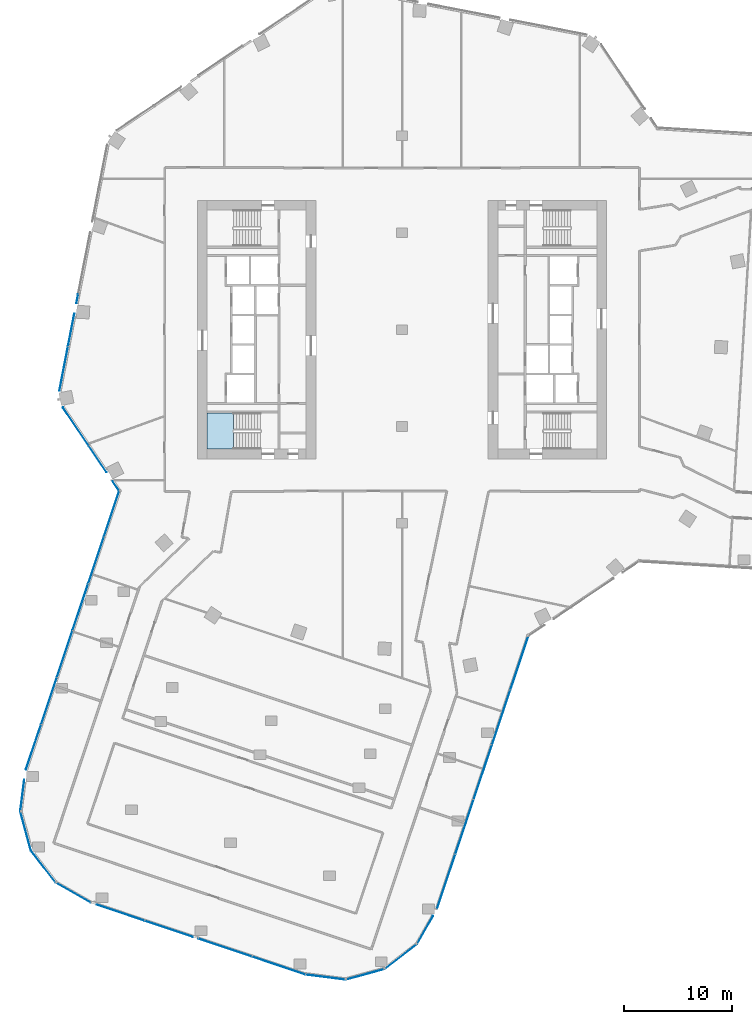
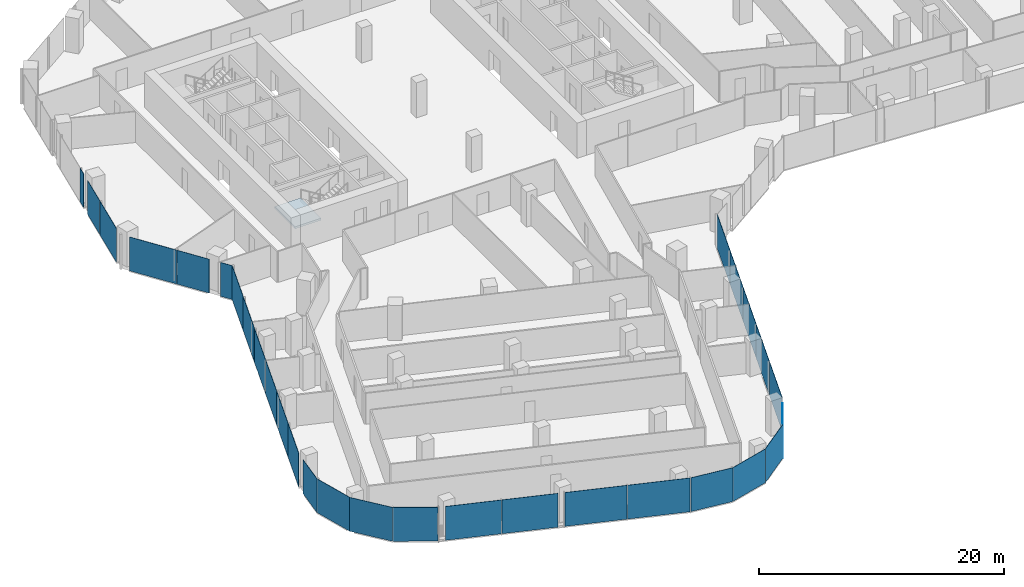
# One storey, part 18 of 32: 29 plates, 1 slab, 14 elements without a shape of their own.
"""IFC4 building model written with IfcOpenShell, lengths in metres."""

from ifc_helpers import new_model, si_unit, direction, frame, origin, origin_2d, place, context, subcontext, project, spatial, polyline, rectangle, outline, extrude, material, layer, layer_set, type_object, element, aggregate, save


model = new_model("IFC4")

# Units and contexts
model_context = context("Model", 3, precision=1e-05, world=origin(), true_north=direction((0.0, 1.0)))
body_context = subcontext(model_context, "Body", "Model", "MODEL_VIEW")
ifc_project = project(units=[si_unit("LENGTHUNIT", "METRE"), si_unit("AREAUNIT", "SQUARE_METRE"), si_unit("VOLUMEUNIT", "CUBIC_METRE"), si_unit("PLANEANGLEUNIT", "RADIAN"), si_unit("MASSUNIT", "GRAM", prefix="KILO")], contexts=[model_context])

# Site, building, storey
site_placement = place(None, origin())
site = spatial("IfcSite", under=ifc_project, at=site_placement, CompositionType="ELEMENT")
building_placement = place(site_placement, origin())
building = spatial("IfcBuilding", under=site, at=building_placement, Name="Orlundy Tower", CompositionType="ELEMENT")
storey_placement = place(building_placement, frame((0.0, 0.0, 152.60009765625)))
storey = spatial("IfcBuildingStorey", under=building, at=storey_placement, Name="L39", CompositionType="ELEMENT", Elevation=152.60009765625)

# Curtain wall, plates
ifc_material_1 = material(Name="Aluminium bronze anodised", Category="aluminium")
curtain_wall_type = type_object("IfcCurtainWallType", Name="CW1 wall", PredefinedType="NOTDEFINED", material=ifc_material_1)
curtain_wall_1_placement = place(storey_placement, origin())
curtain_wall_1 = element("IfcCurtainWall", 1, at=curtain_wall_1_placement, inside=storey, type_object=curtain_wall_type, Name="CW1 run 02", PredefinedType="NOTDEFINED")
ifc_material_2 = material(Name="Tinted glass", Category="glass")
ifc_layer_1 = layer(ifc_material_2, 0.031982421875)
ifc_layer_set_1 = layer_set([ifc_layer_1], Name="CW1 glass panel 32")
plate_type = type_object("IfcPlateType", Name="CW1 glass panel 32", PredefinedType="CURTAIN_PANEL", material=ifc_layer_set_1)
plate_1_placement = place(storey_placement, frame((10.90087890625, -30.968505859375, -0.280029296875), z_axis=(0.0, 0.0, 1.0), x_axis=(-0.317314020344, -0.948320522025, 0.0)))
plate_1 = element("IfcPlate", 2, at=plate_1_placement, type_object=plate_type, Name="CW1 panel", PredefinedType="CURTAIN_PANEL", context=body_context, shape_type="SweptSolid", body=[
    extrude(rectangle(XDim=5.276123046875, YDim=0.031982421875, at=origin_2d()), origin(), (0.0, 0.0, 1.0), 3.3798828125),
])
plate_2_placement = place(storey_placement, frame((9.205810546875, -36.033935546875, -0.280029296875), z_axis=(0.0, 0.0, 1.0), x_axis=(-0.317314020344, -0.948320522025, 0.0)))
plate_2 = element("IfcPlate", 3, at=plate_2_placement, type_object=plate_type, Name="CW1 panel", PredefinedType="CURTAIN_PANEL", context=body_context, shape_type="SweptSolid", body=[
    extrude(rectangle(XDim=5.306884765625, YDim=0.031982421875, at=origin_2d()), origin(), (0.0, 0.0, 1.0), 3.3798828125),
])
plate_3_placement = place(storey_placement, frame((7.506103515625, -41.114013671875, -0.280029296875), z_axis=(0.0, 0.0, 1.0), x_axis=(-0.317314020344, -0.948320522025, 0.0)))
plate_3 = element("IfcPlate", 4, at=plate_3_placement, type_object=plate_type, Name="CW1 panel", PredefinedType="CURTAIN_PANEL", context=body_context, shape_type="SweptSolid", body=[
    extrude(rectangle(XDim=5.306884765625, YDim=0.031982421875, at=origin_2d()), origin(), (0.0, 0.0, 1.0), 3.3798828125),
])
plate_4_placement = place(storey_placement, frame((5.80615234375, -46.194091796875, -0.280029296875), z_axis=(0.0, 0.0, 1.0), x_axis=(-0.317314020344, -0.948320522025, 0.0)))
plate_4 = element("IfcPlate", 5, at=plate_4_placement, type_object=plate_type, Name="CW1 panel", PredefinedType="CURTAIN_PANEL", context=body_context, shape_type="SweptSolid", body=[
    extrude(rectangle(XDim=5.306884765625, YDim=0.031982421875, at=origin_2d()), origin(), (0.0, 0.0, 1.0), 3.3798828125),
])
plate_5_placement = place(storey_placement, frame((4.10400390625, -51.28173828125, -0.280029296875), z_axis=(0.0, 0.0, 1.0), x_axis=(-0.317314020344, -0.948320522025, 0.0)))
plate_5 = element("IfcPlate", 6, at=plate_5_placement, type_object=plate_type, Name="CW1 panel", PredefinedType="CURTAIN_PANEL", context=body_context, shape_type="SweptSolid", body=[
    extrude(rectangle(XDim=5.32275390625, YDim=0.031982421875, at=origin_2d()), origin(), (0.0, 0.0, 1.0), 3.3798828125),
])
aggregate(curtain_wall_1, [plate_1, plate_2, plate_3, plate_4, plate_5])

# Curtain wall, plate
curtain_wall_2_placement = place(storey_placement, origin())
curtain_wall_2 = element("IfcCurtainWall", 7, at=curtain_wall_2_placement, inside=storey, type_object=curtain_wall_type, Name="CW1 run 03", PredefinedType="NOTDEFINED")
plate_6_placement = place(storey_placement, frame((2.135986328125, -55.78125, -0.280029296875), z_axis=(0.0, 0.0, 1.0), x_axis=(-0.496167993802, -0.868226538368, 0.0)))
plate_6 = element("IfcPlate", 8, at=plate_6_placement, type_object=plate_type, Name="CW1 panel", PredefinedType="CURTAIN_PANEL", context=body_context, shape_type="SweptSolid", body=[
    extrude(rectangle(XDim=3.013916015625, YDim=0.031982421875, at=origin_2d()), origin(), (0.0, 0.0, 1.0), 3.3798828125),
])
aggregate(curtain_wall_2, [plate_6])

curtain_wall_3_placement = place(storey_placement, origin())
curtain_wall_3 = element("IfcCurtainWall", 9, at=curtain_wall_3_placement, inside=storey, type_object=curtain_wall_type, Name="CW1 run 04", PredefinedType="NOTDEFINED")
plate_7_placement = place(storey_placement, frame((-0.10302734375, -58.24462890625, -0.280029296875), z_axis=(0.0, 0.0, 1.0), x_axis=(-0.790614183516, -0.61231463548, 0.0)))
plate_7 = element("IfcPlate", 10, at=plate_7_placement, type_object=plate_type, Name="CW1 panel", PredefinedType="CURTAIN_PANEL", context=body_context, shape_type="SweptSolid", body=[
    extrude(rectangle(XDim=3.7724609375, YDim=0.031982421875, at=origin_2d()), origin(), (0.0, 0.0, 1.0), 3.3798828125),
])
aggregate(curtain_wall_3, [plate_7])

curtain_wall_4_placement = place(storey_placement, origin())
curtain_wall_4 = element("IfcCurtainWall", 11, at=curtain_wall_4_placement, inside=storey, type_object=curtain_wall_type, Name="CW1 run 05", PredefinedType="NOTDEFINED")
plate_8_placement = place(storey_placement, frame((-3.413818359375, -59.895751953125, -0.280029296875), z_axis=(0.0, 0.0, 1.0), x_axis=(-0.964782496835, -0.263048919026, 0.0)))
plate_8 = element("IfcPlate", 12, at=plate_8_placement, type_object=plate_type, Name="CW1 panel", PredefinedType="CURTAIN_PANEL", context=body_context, shape_type="SweptSolid", body=[
    extrude(rectangle(XDim=3.771728515625, YDim=0.031982421875, at=origin_2d()), origin(), (0.0, 0.0, 1.0), 3.3798828125),
])
aggregate(curtain_wall_4, [plate_8])

curtain_wall_5_placement = place(storey_placement, origin())
curtain_wall_5 = element("IfcCurtainWall", 13, at=curtain_wall_5_placement, inside=storey, type_object=curtain_wall_type, Name="CW1 run 06", PredefinedType="NOTDEFINED")
plate_9_placement = place(storey_placement, frame((-7.08349609375, -60.15625, -0.280029296875), z_axis=(0.0, 0.0, 1.0), x_axis=(-0.99199729737, 0.126259106648, 0.0)))
plate_9 = element("IfcPlate", 14, at=plate_9_placement, type_object=plate_type, Name="CW1 panel", PredefinedType="CURTAIN_PANEL", context=body_context, shape_type="SweptSolid", body=[
    extrude(rectangle(XDim=3.730224609375, YDim=0.031982421875, at=origin_2d()), origin(), (0.0, 0.0, 1.0), 3.3798828125),
])
aggregate(curtain_wall_5, [plate_9])

# Curtain wall, plates
curtain_wall_6_placement = place(storey_placement, origin())
curtain_wall_6 = element("IfcCurtainWall", 15, at=curtain_wall_6_placement, inside=storey, type_object=curtain_wall_type, Name="CW1 run 07", PredefinedType="NOTDEFINED")
plate_10_placement = place(storey_placement, frame((-11.455810546875, -59.082275390625, -0.280029296875), z_axis=(0.0, 0.0, 1.0), x_axis=(-0.948330329219, 0.317284709186, 0.0)))
plate_10 = element("IfcPlate", 16, at=plate_10_placement, type_object=plate_type, Name="CW1 panel", PredefinedType="CURTAIN_PANEL", context=body_context, shape_type="SweptSolid", body=[
    extrude(rectangle(XDim=5.216064453125, YDim=0.031982421875, at=origin_2d()), origin(), (0.0, 0.0, 1.0), 3.3798828125),
])
plate_11_placement = place(storey_placement, frame((-16.442138671875, -57.413818359375, -0.280029296875), z_axis=(0.0, 0.0, 1.0), x_axis=(-0.948330329219, 0.317284709186, 0.0)))
plate_11 = element("IfcPlate", 17, at=plate_11_placement, type_object=plate_type, Name="CW1 panel", PredefinedType="CURTAIN_PANEL", context=body_context, shape_type="SweptSolid", body=[
    extrude(rectangle(XDim=5.199951171875, YDim=0.031982421875, at=origin_2d()), origin(), (0.0, 0.0, 1.0), 3.3798828125),
])
plate_12_placement = place(storey_placement, frame((-21.662841796875, -55.667236328125, -0.280029296875), z_axis=(0.0, 0.0, 1.0), x_axis=(-0.948330329219, 0.317284709186, 0.0)))
plate_12 = element("IfcPlate", 18, at=plate_12_placement, type_object=plate_type, Name="CW1 panel", PredefinedType="CURTAIN_PANEL", context=body_context, shape_type="SweptSolid", body=[
    extrude(rectangle(XDim=4.68994140625, YDim=0.031982421875, at=origin_2d()), origin(), (0.0, 0.0, 1.0), 3.3798828125),
])
plate_13_placement = place(storey_placement, frame((-26.144775390625, -54.167724609375, -0.280029296875), z_axis=(0.0, 0.0, 1.0), x_axis=(-0.948330329219, 0.317284709186, 0.0)))
plate_13 = element("IfcPlate", 19, at=plate_13_placement, type_object=plate_type, Name="CW1 panel", PredefinedType="CURTAIN_PANEL", context=body_context, shape_type="SweptSolid", body=[
    extrude(rectangle(XDim=4.66259765625, YDim=0.031982421875, at=origin_2d()), origin(), (0.0, 0.0, 1.0), 3.3798828125),
])
aggregate(curtain_wall_6, [plate_10, plate_11, plate_12, plate_13])

# Curtain wall, plate
curtain_wall_7_placement = place(storey_placement, origin())
curtain_wall_7 = element("IfcCurtainWall", 20, at=curtain_wall_7_placement, inside=storey, type_object=curtain_wall_type, Name="CW1 run 08", PredefinedType="NOTDEFINED")
plate_14_placement = place(storey_placement, frame((-30.54541015625, -52.30615234375, -0.280029296875), z_axis=(0.0, 0.0, 1.0), x_axis=(-0.868110302636, 0.496371335249, 0.0)))
plate_14 = element("IfcPlate", 21, at=plate_14_placement, type_object=plate_type, Name="CW1 panel", PredefinedType="CURTAIN_PANEL", context=body_context, shape_type="SweptSolid", body=[
    extrude(rectangle(XDim=3.73046875, YDim=0.031982421875, at=origin_2d()), origin(), (0.0, 0.0, 1.0), 3.3798828125),
])
aggregate(curtain_wall_7, [plate_14])

curtain_wall_8_placement = place(storey_placement, origin())
curtain_wall_8 = element("IfcCurtainWall", 22, at=curtain_wall_8_placement, inside=storey, type_object=curtain_wall_type, Name="CW1 run 09", PredefinedType="NOTDEFINED")
plate_15_placement = place(storey_placement, frame((-33.319580078125, -49.888916015625, -0.280029296875), z_axis=(0.0, 0.0, 1.0), x_axis=(-0.61231463548, 0.790614183516, 0.0)))
plate_15 = element("IfcPlate", 23, at=plate_15_placement, type_object=plate_type, Name="CW1 panel", PredefinedType="CURTAIN_PANEL", context=body_context, shape_type="SweptSolid", body=[
    extrude(rectangle(XDim=3.7724609375, YDim=0.031982421875, at=origin_2d()), origin(), (0.0, 0.0, 1.0), 3.3798828125),
])
aggregate(curtain_wall_8, [plate_15])

curtain_wall_9_placement = place(storey_placement, origin())
curtain_wall_9 = element("IfcCurtainWall", 24, at=curtain_wall_9_placement, inside=storey, type_object=curtain_wall_type, Name="CW1 run 010", PredefinedType="NOTDEFINED")
plate_16_placement = place(storey_placement, frame((-34.97021484375, -46.578125, -0.280029296875), z_axis=(0.0, 0.0, 1.0), x_axis=(-0.262797766834, 0.964850938616, 0.0)))
plate_16 = element("IfcPlate", 25, at=plate_16_placement, type_object=plate_type, Name="CW1 panel", PredefinedType="CURTAIN_PANEL", context=body_context, shape_type="SweptSolid", body=[
    extrude(rectangle(XDim=3.771484375, YDim=0.031982421875, at=origin_2d()), origin(), (0.0, 0.0, 1.0), 3.3798828125),
])
aggregate(curtain_wall_9, [plate_16])

curtain_wall_10_placement = place(storey_placement, origin())
curtain_wall_10 = element("IfcCurtainWall", 26, at=curtain_wall_10_placement, inside=storey, type_object=curtain_wall_type, Name="CW1 run 011", PredefinedType="NOTDEFINED")
plate_17_placement = place(storey_placement, frame((-35.27978515625, -43.294921875, -0.280029296875), z_axis=(0.0, 0.0, 1.0), x_axis=(0.125993609416, 0.992031053136, 0.0)))
plate_17 = element("IfcPlate", 27, at=plate_17_placement, type_object=plate_type, Name="CW1 panel", PredefinedType="CURTAIN_PANEL", context=body_context, shape_type="SweptSolid", body=[
    extrude(rectangle(XDim=2.950927734375, YDim=0.031982421875, at=origin_2d()), origin(), (0.0, 0.0, 1.0), 3.3798828125),
])
aggregate(curtain_wall_10, [plate_17])

# Curtain wall, plates
curtain_wall_11_placement = place(storey_placement, origin())
curtain_wall_11 = element("IfcCurtainWall", 28, at=curtain_wall_11_placement, inside=storey, type_object=curtain_wall_type, Name="CW1 run 012", PredefinedType="NOTDEFINED")
plate_18_placement = place(storey_placement, frame((-34.23779296875, -38.777587890625, -0.280029296875), z_axis=(0.0, 0.0, 1.0), x_axis=(0.317295386712, 0.948326756752, 0.0)))
plate_18 = element("IfcPlate", 29, at=plate_18_placement, type_object=plate_type, Name="CW1 panel", PredefinedType="CURTAIN_PANEL", context=body_context, shape_type="SweptSolid", body=[
    extrude(rectangle(XDim=4.402587890625, YDim=0.031982421875, at=origin_2d()), origin(), (0.0, 0.0, 1.0), 3.3798828125),
])
plate_19_placement = place(storey_placement, frame((-32.803466796875, -34.490478515625, -0.280029296875), z_axis=(0.0, 0.0, 1.0), x_axis=(0.317295386712, 0.948326756752, 0.0)))
plate_19 = element("IfcPlate", 30, at=plate_19_placement, type_object=plate_type, Name="CW1 panel", PredefinedType="CURTAIN_PANEL", context=body_context, shape_type="SweptSolid", body=[
    extrude(rectangle(XDim=4.538818359375, YDim=0.031982421875, at=origin_2d()), origin(), (0.0, 0.0, 1.0), 3.3798828125),
])
plate_20_placement = place(storey_placement, frame((-31.347412109375, -30.138916015625, -0.280029296875), z_axis=(0.0, 0.0, 1.0), x_axis=(0.317295386712, 0.948326756752, 0.0)))
plate_20 = element("IfcPlate", 31, at=plate_20_placement, type_object=plate_type, Name="CW1 panel", PredefinedType="CURTAIN_PANEL", context=body_context, shape_type="SweptSolid", body=[
    extrude(rectangle(XDim=4.538818359375, YDim=0.031982421875, at=origin_2d()), origin(), (0.0, 0.0, 1.0), 3.3798828125),
])
plate_21_placement = place(storey_placement, frame((-29.8916015625, -25.787109375, -0.280029296875), z_axis=(0.0, 0.0, 1.0), x_axis=(0.317295386712, 0.948326756752, 0.0)))
plate_21 = element("IfcPlate", 32, at=plate_21_placement, type_object=plate_type, Name="CW1 panel", PredefinedType="CURTAIN_PANEL", context=body_context, shape_type="SweptSolid", body=[
    extrude(rectangle(XDim=4.538818359375, YDim=0.031982421875, at=origin_2d()), origin(), (0.0, 0.0, 1.0), 3.3798828125),
])
plate_22_placement = place(storey_placement, frame((-28.435546875, -21.435546875, -0.280029296875), z_axis=(0.0, 0.0, 1.0), x_axis=(0.317295386712, 0.948326756752, 0.0)))
plate_22 = element("IfcPlate", 33, at=plate_22_placement, type_object=plate_type, Name="CW1 panel", PredefinedType="CURTAIN_PANEL", context=body_context, shape_type="SweptSolid", body=[
    extrude(rectangle(XDim=4.538818359375, YDim=0.031982421875, at=origin_2d()), origin(), (0.0, 0.0, 1.0), 3.3798828125),
])
plate_23_placement = place(storey_placement, frame((-26.98828125, -17.1103515625, -0.280029296875), z_axis=(0.0, 0.0, 1.0), x_axis=(0.317295386712, 0.948326756752, 0.0)))
plate_23 = element("IfcPlate", 34, at=plate_23_placement, type_object=plate_type, Name="CW1 panel", PredefinedType="CURTAIN_PANEL", context=body_context, shape_type="SweptSolid", body=[
    extrude(rectangle(XDim=4.48291015625, YDim=0.031982421875, at=origin_2d()), origin(), (0.0, 0.0, 1.0), 3.3798828125),
])
aggregate(curtain_wall_11, [plate_18, plate_19, plate_20, plate_21, plate_22, plate_23])

curtain_wall_12_placement = place(storey_placement, origin())
curtain_wall_12 = element("IfcCurtainWall", 35, at=curtain_wall_12_placement, inside=storey, type_object=curtain_wall_type, Name="CW1 run 013", PredefinedType="NOTDEFINED")
plate_24_placement = place(storey_placement, frame((-26.580810546875, -14.534423828125, -0.280029296875), z_axis=(0.0, 0.0, 1.0), x_axis=(-0.559201009656, 0.829032104807, 0.0)))
plate_24 = element("IfcPlate", 36, at=plate_24_placement, type_object=plate_type, Name="CW1 panel", PredefinedType="CURTAIN_PANEL", context=body_context, shape_type="SweptSolid", body=[
    extrude(rectangle(XDim=1.086181640625, YDim=0.031982421875, at=origin_2d()), origin(), (0.0, 0.0, 1.0), 3.3798828125),
])
plate_25_placement = place(storey_placement, frame((-28.267333984375, -12.0341796875, -0.280029296875), z_axis=(0.0, 0.0, 1.0), x_axis=(-0.559201009656, 0.829032104807, 0.0)))
plate_25 = element("IfcPlate", 37, at=plate_25_placement, type_object=plate_type, Name="CW1 panel", PredefinedType="CURTAIN_PANEL", context=body_context, shape_type="SweptSolid", body=[
    extrude(rectangle(XDim=2.906494140625, YDim=0.031982421875, at=origin_2d()), origin(), (0.0, 0.0, 1.0), 3.3798828125),
])
plate_26_placement = place(storey_placement, frame((-30.308837890625, -9.007568359375, -0.280029296875), z_axis=(0.0, 0.0, 1.0), x_axis=(-0.559201009656, 0.829032104807, 0.0)))
plate_26 = element("IfcPlate", 38, at=plate_26_placement, type_object=plate_type, Name="CW1 panel", PredefinedType="CURTAIN_PANEL", context=body_context, shape_type="SweptSolid", body=[
    extrude(rectangle(XDim=4.29541015625, YDim=0.031982421875, at=origin_2d()), origin(), (0.0, 0.0, 1.0), 3.3798828125),
])
aggregate(curtain_wall_12, [plate_24, plate_25, plate_26])

curtain_wall_13_placement = place(storey_placement, origin())
curtain_wall_13 = element("IfcCurtainWall", 39, at=curtain_wall_13_placement, inside=storey, type_object=curtain_wall_type, Name="CW1 run 014", PredefinedType="NOTDEFINED")
plate_27_placement = place(storey_placement, frame((-31.43310546875, -3.62353515625, -0.280029296875), z_axis=(0.0, 0.0, 1.0), x_axis=(0.19080503976, 0.981627952333, 0.0)))
plate_27 = element("IfcPlate", 40, at=plate_27_placement, type_object=plate_type, Name="CW1 panel", PredefinedType="CURTAIN_PANEL", context=body_context, shape_type="SweptSolid", body=[
    extrude(rectangle(XDim=4.147216796875, YDim=0.031982421875, at=origin_2d()), origin(), (0.0, 0.0, 1.0), 3.3798828125),
])
plate_28_placement = place(storey_placement, frame((-30.73583984375, -0.037109375, -0.280029296875), z_axis=(0.0, 0.0, 1.0), x_axis=(0.19080503976, 0.981627952333, 0.0)))
plate_28 = element("IfcPlate", 41, at=plate_28_placement, type_object=plate_type, Name="CW1 panel", PredefinedType="CURTAIN_PANEL", context=body_context, shape_type="SweptSolid", body=[
    extrude(rectangle(XDim=3.059814453125, YDim=0.031982421875, at=origin_2d()), origin(), (0.0, 0.0, 1.0), 3.3798828125),
])
plate_29_placement = place(storey_placement, frame((-30.169677734375, 2.87548828125, -0.280029296875), z_axis=(0.0, 0.0, 1.0), x_axis=(0.19080503976, 0.981627952333, 0.0)))
plate_29 = element("IfcPlate", 42, at=plate_29_placement, type_object=plate_type, Name="CW1 panel", PredefinedType="CURTAIN_PANEL", context=body_context, shape_type="SweptSolid", body=[
    extrude(rectangle(XDim=0.8466796875, YDim=0.031982421875, at=origin_2d()), origin(), (0.0, 0.0, 1.0), 3.3798828125),
])
aggregate(curtain_wall_13, [plate_27, plate_28, plate_29])

# Stair, slab
ifc_material_3 = material(Name="Concrete C50/60", Category="concrete")
stair_type = type_object("IfcStairType", Name="Exit Stair 20 risers", PredefinedType="HALF_TURN_STAIR", material=ifc_material_3)
stair_placement = place(storey_placement, origin())
stair = element("IfcStair", 43, at=stair_placement, inside=storey, type_object=stair_type, Name="L39 Exit Stair ST-W2", PredefinedType="HALF_TURN_STAIR")
ifc_material_4 = material(Name="Concrete C50/60", Category="concrete")
ifc_layer_2 = layer(ifc_material_4, 0.199951171875)
ifc_layer_set_2 = layer_set([ifc_layer_2], Name="Exit Stair Landing")
slab_type = type_object("IfcSlabType", Name="Exit Stair Landing", PredefinedType="LANDING", material=ifc_layer_set_2)
slab_placement = place(storey_placement, frame((0.0, 0.0, 1.5498046875)))
slab = element("IfcSlab", 44, at=slab_placement, type_object=slab_type, Name="ST-W2 landing 1", PredefinedType="LANDING", context=body_context, shape_type="SweptSolid", body=[
    extrude(outline(polyline([(-15.659912109375, -7.75), (-18.10009765625, -7.75), (-18.10009765625, -11.10009765625), (-15.659912109375, -11.10009765625), (-15.659912109375, -7.75)])), origin(), (0.0, 0.0, 1.0), 0.2001953125),
])
aggregate(stair, [slab])

save(model, "model.ifc")
